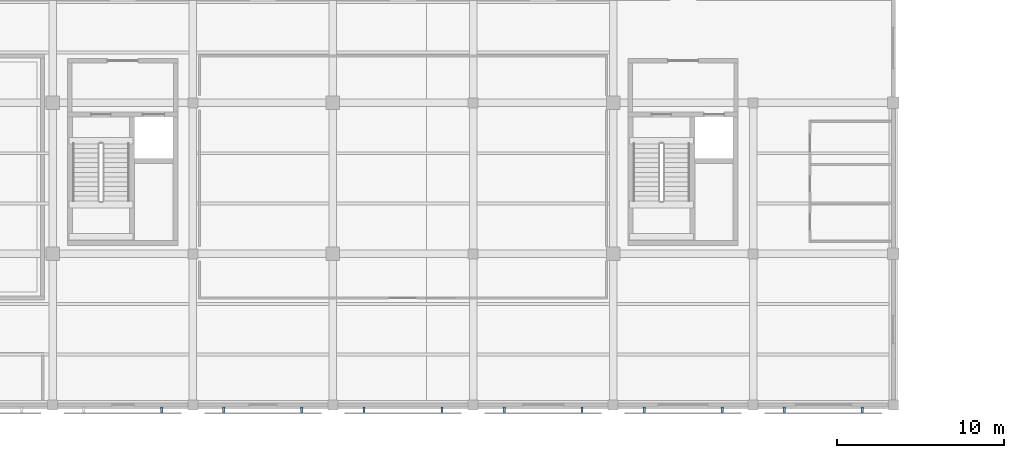
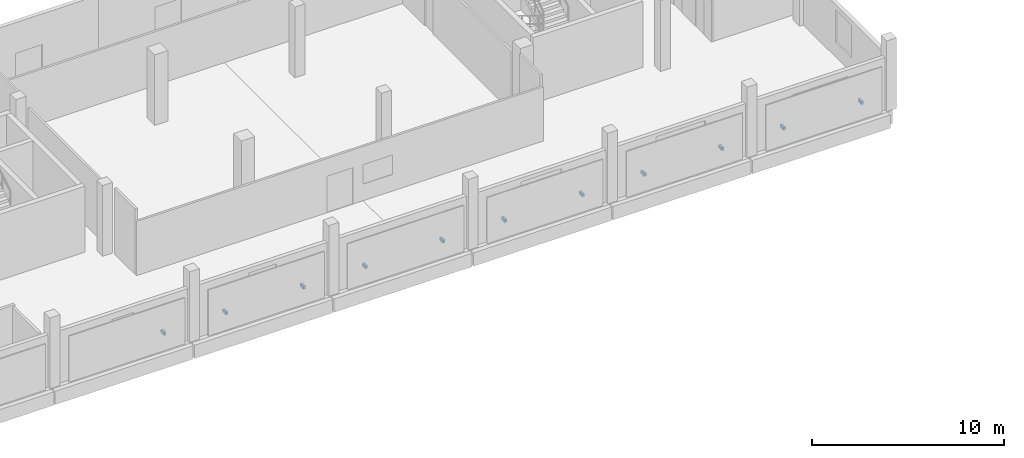
# One storey, part 23 of 34: 11 discrete accessories.
"""IFC4 building model written with IfcOpenShell, lengths in metres."""

from ifc_helpers import new_model, si_unit, direction, frame, origin, origin_2d, place, context, subcontext, project, spatial, rectangle, extrude, material, type_object, element, save


model = new_model("IFC4")

# Units and contexts
model_context = context("Model", 3, precision=1e-05, world=origin(), true_north=direction((0.0, 1.0)))
body_context = subcontext(model_context, "Body", "Model", "MODEL_VIEW")
ifc_project = project(units=[si_unit("LENGTHUNIT", "METRE"), si_unit("AREAUNIT", "SQUARE_METRE"), si_unit("VOLUMEUNIT", "CUBIC_METRE"), si_unit("PLANEANGLEUNIT", "RADIAN"), si_unit("MASSUNIT", "GRAM", prefix="KILO")], contexts=[model_context])

# Site, building, storey
site_placement = place(None, origin())
site = spatial("IfcSite", under=ifc_project, at=site_placement, CompositionType="ELEMENT")
building_placement = place(site_placement, origin())
building = spatial("IfcBuilding", under=site, at=building_placement, Name="Khurvash Pelagic Aquarium", CompositionType="ELEMENT")
storey_placement = place(building_placement, frame((0.0, 0.0, 15.60009765625)))
storey = spatial("IfcBuildingStorey", under=building, at=storey_placement, Name="L03", CompositionType="ELEMENT", Elevation=15.60009765625)

# Discrete accessories
ifc_material = material(Name="Hot-dip galvanised steel S355J2", Category="steel")
discrete_accessory_type = type_object("IfcDiscreteAccessoryType", Name="BK-01", PredefinedType="BRACKET", material=ifc_material)
for number, where, z_axis, x_axis, name in (
    (1, (65.3369140625, 2.304931640625, 1.10986328125), (0.0, 0.0, 1.0), (1.0, 0.0, 0.0), "L03 Jali Screen Support Bracket BK-01 0074"),
    (2, (69.06298828125, 2.304931640625, 1.10986328125), (0.0, 0.0, 1.0), (1.0, 0.0, 0.0), "L03 Jali Screen Support Bracket BK-01 0075"),
    (3, (73.737060546875, 2.304931640625, 1.10986328125), (0.0, 0.0, 1.0), (1.0, 0.0, 0.0), "L03 Jali Screen Support Bracket BK-01 0076"),
    (4, (77.462890625, 2.304931640625, 1.10986328125), (0.0, 0.0, 1.0), (1.0, 0.0, 0.0), "L03 Jali Screen Support Bracket BK-01 0077"),
    (5, (82.136962890625, 2.304931640625, 1.10986328125), (0.0, 0.0, 1.0), (1.0, 0.0, 0.0), "L03 Jali Screen Support Bracket BK-01 0078"),
    (6, (85.863037109375, 2.304931640625, 1.10986328125), (0.0, 0.0, 1.0), (1.0, 0.0, 0.0), "L03 Jali Screen Support Bracket BK-01 0079"),
    (7, (90.537109375, 2.304931640625, 1.10986328125), (0.0, 0.0, 1.0), (1.0, 0.0, 0.0), "L03 Jali Screen Support Bracket BK-01 0080"),
    (8, (94.262939453125, 2.304931640625, 1.10986328125), (0.0, 0.0, 1.0), (1.0, 0.0, 0.0), "L03 Jali Screen Support Bracket BK-01 0081"),
    (9, (98.93701171875, 2.304931640625, 1.10986328125), (0.0, 0.0, 1.0), (1.0, 0.0, 0.0), "L03 Jali Screen Support Bracket BK-01 0082"),
    (10, (102.6630859375, 2.304931640625, 1.10986328125), (0.0, 0.0, 1.0), (1.0, 0.0, 0.0), "L03 Jali Screen Support Bracket BK-01 0083"),
    (11, (107.3369140625, 2.304931640625, 1.10986328125), (0.0, 0.0, 1.0), (1.0, 0.0, 0.0), "L03 Jali Screen Support Bracket BK-01 0084"),
):
    element("IfcDiscreteAccessory", number, at=place(storey_placement, frame(where, z_axis=z_axis, x_axis=x_axis)), inside=storey, type_object=discrete_accessory_type, Name=name, PredefinedType="BRACKET", context=body_context, shape_type="SweptSolid", body=[
        extrude(rectangle(XDim=0.139892578125, YDim=0.35009765625, at=origin_2d()), origin(), (0.0, 0.0, 1.0), 0.179931640625),
    ])

save(model, "model.ifc")
